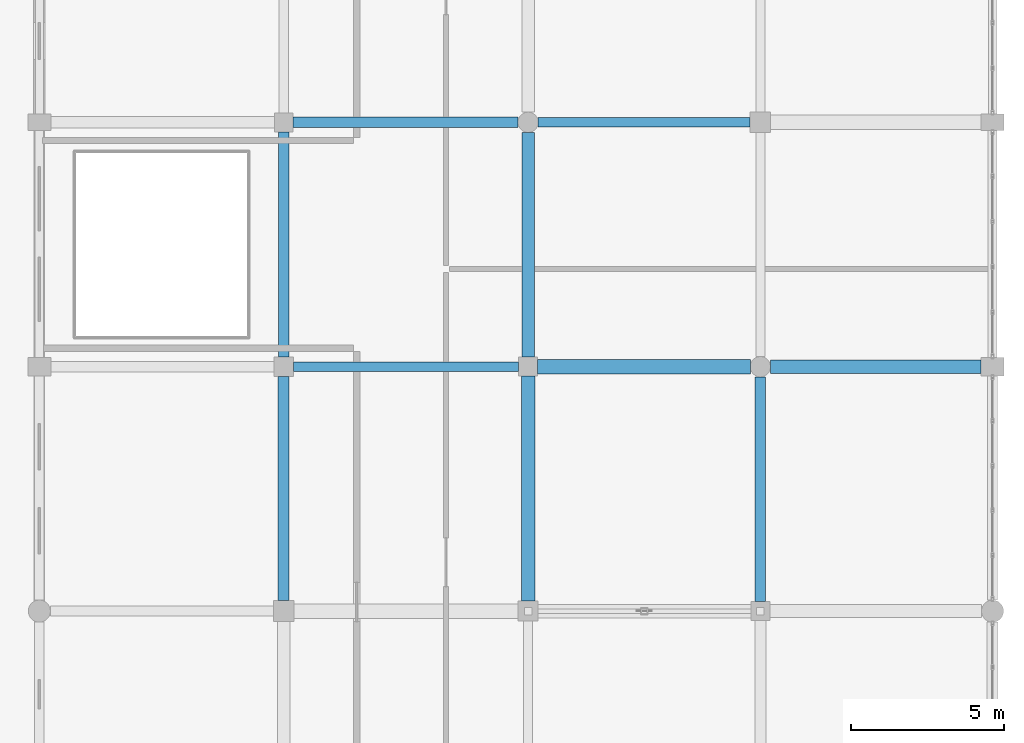
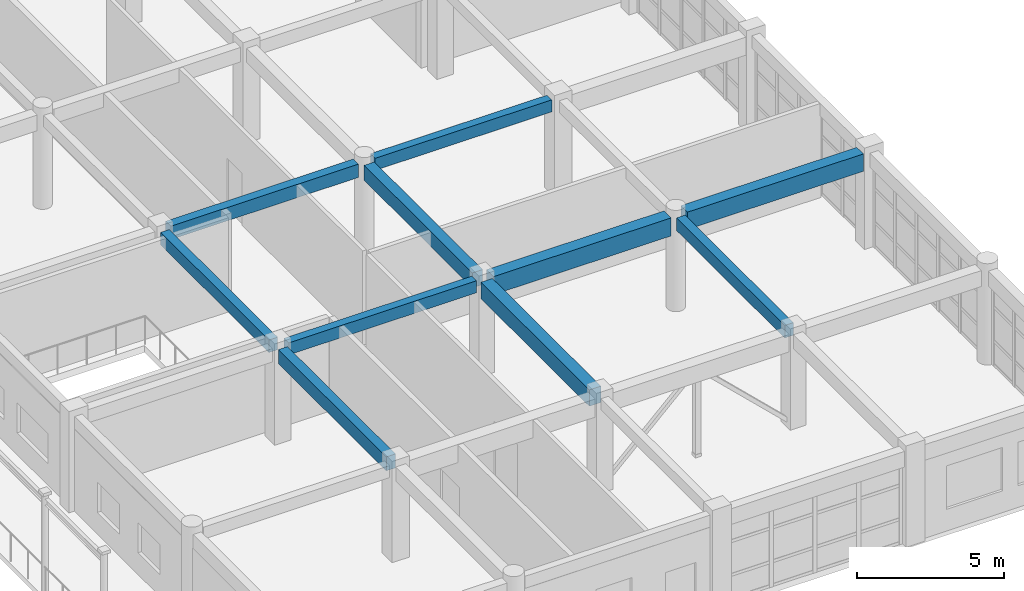
# One storey, part 128 of 195: 10 beams.
"""IFC4 building model written with IfcOpenShell, lengths in metres."""

from ifc_helpers import new_model, si_unit, direction, frame, origin, origin_2d, place, context, subcontext, project, spatial, rectangle, extrude, material, material_profile, profile_set, type_object, element, save


model = new_model("IFC4")

# Units and contexts
model_context = context("Model", 3, precision=1e-05, world=origin(), true_north=direction((0.0, 1.0)))
body_context = subcontext(model_context, "Body", "Model", "MODEL_VIEW")
ifc_project = project(units=[si_unit("LENGTHUNIT", "METRE"), si_unit("AREAUNIT", "SQUARE_METRE"), si_unit("VOLUMEUNIT", "CUBIC_METRE"), si_unit("PLANEANGLEUNIT", "RADIAN"), si_unit("MASSUNIT", "GRAM", prefix="KILO")], contexts=[model_context])

# Site, building, storey
site_placement = place(None, origin())
site = spatial("IfcSite", under=ifc_project, at=site_placement, CompositionType="ELEMENT")
building_placement = place(site_placement, origin())
building = spatial("IfcBuilding", under=site, at=building_placement, Name="Kharva Crest Polytechnic", CompositionType="ELEMENT")
storey_placement = place(building_placement, frame((0.0, 0.0, 9.0)))
storey = spatial("IfcBuildingStorey", under=building, at=storey_placement, Name="L02", CompositionType="ELEMENT", Elevation=9.0)

# Beams
ifc_material = material(Name="Concrete C35/45", Category="concrete")
ifc_material_profile_1 = material_profile(ifc_material, rectangle(XDim=0.320068359375, YDim=0.5, at=origin_2d()), Name="RECT 320 X 500")
ifc_profile_set_1 = profile_set([ifc_material_profile_1], Name="Concrete C35/45")
beam_type_1 = type_object("IfcBeamType", Name="BM-RC-320X500", PredefinedType="BEAM", material=ifc_profile_set_1)
beam_1_placement = place(storey_placement, frame((161.125, 54.800048828125, 3.669921875), z_axis=(1.0, 0.0, 0.0), x_axis=(0.0, 1.0, 0.0)))
element("IfcBeam", 1, at=beam_1_placement, inside=storey, type_object=beam_type_1, Name="L02 Beam H/21-22", PredefinedType="BEAM", context=body_context, shape_type="SweptSolid", body=[
    extrude(rectangle(XDim=0.320068359375, YDim=0.5, at=origin_2d()), origin(), (0.0, 0.0, 1.0), 7.364990234375),
])
beam_2_placement = place(storey_placement, frame((169.1298828125, 62.800048828125, 3.669921875), z_axis=(1.0, 0.0, 0.0), x_axis=(0.0, 1.0, 0.0)))
element("IfcBeam", 2, at=beam_2_placement, inside=storey, type_object=beam_type_1, Name="L02 Beam J/22-23", PredefinedType="BEAM", context=body_context, shape_type="SweptSolid", body=[
    extrude(rectangle(XDim=0.320068359375, YDim=0.5, at=origin_2d()), origin(), (0.0, 0.0, 1.0), 6.93017578125),
])
ifc_material_profile_2 = material_profile(ifc_material, rectangle(XDim=0.340087890625, YDim=0.52001953125, at=origin_2d()), Name="RECT 340 X 520")
ifc_profile_set_2 = profile_set([ifc_material_profile_2], Name="Concrete C35/45")
beam_type_2 = type_object("IfcBeamType", Name="BM-RC-340X520", PredefinedType="BEAM", material=ifc_profile_set_2)
beam_3_placement = place(storey_placement, frame((160.800048828125, 55.125, 3.659912109375), z_axis=(0.0, 1.0, 0.0), x_axis=(-1.0, 0.0, 0.0)))
element("IfcBeam", 3, at=beam_3_placement, inside=storey, type_object=beam_type_2, Name="L02 Girder 21/H-J", PredefinedType="BEAM", context=body_context, shape_type="SweptSolid", body=[
    extrude(rectangle(XDim=0.340087890625, YDim=0.52001953125, at=origin_2d()), origin(), (0.0, 0.0, 1.0), 7.364990234375),
])
beam_4_placement = place(storey_placement, frame((176.39990234375, 47.110107421875, 3.659912109375), z_axis=(0.0, 1.0, 0.0), x_axis=(-1.0, 0.0, 0.0)))
element("IfcBeam", 4, at=beam_4_placement, inside=storey, type_object=beam_type_2, Name="L02 Girder 23/G-H", PredefinedType="BEAM", context=body_context, shape_type="SweptSolid", body=[
    extrude(rectangle(XDim=0.340087890625, YDim=0.52001953125, at=origin_2d()), origin(), (0.0, 0.0, 1.0), 7.35986328125),
])
ifc_material_profile_3 = material_profile(ifc_material, rectangle(XDim=0.35009765625, YDim=0.550048828125, at=origin_2d()), Name="RECT 350 X 550")
ifc_profile_set_3 = profile_set([ifc_material_profile_3], Name="Concrete C35/45")
beam_type_3 = type_object("IfcBeamType", Name="BM-RC-350X550", PredefinedType="BEAM", material=ifc_profile_set_3)
beam_5_placement = place(storey_placement, frame((161.110107421875, 62.800048828125, 3.64501953125), z_axis=(1.0, 0.0, 0.0), x_axis=(0.0, 1.0, 0.0)))
element("IfcBeam", 5, at=beam_5_placement, inside=storey, type_object=beam_type_3, Name="L02 Beam J/21-22", PredefinedType="BEAM", context=body_context, shape_type="SweptSolid", body=[
    extrude(rectangle(XDim=0.35009765625, YDim=0.550048828125, at=origin_2d()), origin(), (0.0, 0.0, 1.0), 7.35986328125),
])
ifc_material_profile_4 = material_profile(ifc_material, rectangle(XDim=0.360107421875, YDim=0.580078125, at=origin_2d()), Name="RECT 360 X 580")
ifc_profile_set_4 = profile_set([ifc_material_profile_4], Name="Concrete C35/45")
beam_type_4 = type_object("IfcBeamType", Name="BM-RC-360X580", PredefinedType="BEAM", material=ifc_profile_set_4)
beam_6_placement = place(storey_placement, frame((160.800048828125, 47.139892578125, 3.6298828125), z_axis=(0.0, 1.0, 0.0), x_axis=(-1.0, 0.0, 0.0)))
element("IfcBeam", 6, at=beam_6_placement, inside=storey, type_object=beam_type_4, Name="L02 Girder 21/G-H", PredefinedType="BEAM", context=body_context, shape_type="SweptSolid", body=[
    extrude(rectangle(XDim=0.360107421875, YDim=0.580078125, at=origin_2d()), origin(), (0.0, 0.0, 1.0), 7.335205078125),
])
ifc_material_profile_5 = material_profile(ifc_material, rectangle(XDim=0.39990234375, YDim=0.6201171875, at=origin_2d()), Name="RECT 400 X 620")
ifc_profile_set_5 = profile_set([ifc_material_profile_5], Name="Concrete C35/45")
beam_type_5 = type_object("IfcBeamType", Name="BM-RC-400X620", PredefinedType="BEAM", material=ifc_profile_set_5)
beam_7_placement = place(storey_placement, frame((168.800048828125, 55.110107421875, 3.610107421875), z_axis=(0.0, 1.0, 0.0), x_axis=(-1.0, 0.0, 0.0)))
element("IfcBeam", 7, at=beam_7_placement, inside=storey, type_object=beam_type_5, Name="L02 Girder 22/H-J", PredefinedType="BEAM", context=body_context, shape_type="SweptSolid", body=[
    extrude(rectangle(XDim=0.39990234375, YDim=0.6201171875, at=origin_2d()), origin(), (0.0, 0.0, 1.0), 7.35986328125),
])
ifc_material_profile_6 = material_profile(ifc_material, rectangle(XDim=0.449951171875, YDim=0.679931640625, at=origin_2d()), Name="RECT 450 X 680")
ifc_profile_set_6 = profile_set([ifc_material_profile_6], Name="Concrete C35/45")
beam_type_6 = type_object("IfcBeamType", Name="BM-RC-450X680", PredefinedType="BEAM", material=ifc_profile_set_6)
beam_8_placement = place(storey_placement, frame((168.800048828125, 47.125, 3.580078125), z_axis=(0.0, 1.0, 0.0), x_axis=(-1.0, 0.0, 0.0)))
element("IfcBeam", 8, at=beam_8_placement, inside=storey, type_object=beam_type_6, Name="L02 Girder 22/G-H", PredefinedType="BEAM", context=body_context, shape_type="SweptSolid", body=[
    extrude(rectangle(XDim=0.449951171875, YDim=0.679931640625, at=origin_2d()), origin(), (0.0, 0.0, 1.0), 7.364990234375),
])
ifc_material_profile_7 = material_profile(ifc_material, rectangle(XDim=0.449951171875, YDim=0.719970703125, at=origin_2d()), Name="RECT 450 X 720")
ifc_profile_set_7 = profile_set([ifc_material_profile_7], Name="Concrete C35/45")
beam_type_7 = type_object("IfcBeamType", Name="BM-RC-450X720", PredefinedType="BEAM", material=ifc_profile_set_7)
beam_9_placement = place(storey_placement, frame((176.72998046875, 54.800048828125, 3.56005859375), z_axis=(1.0, 0.0, 0.0), x_axis=(0.0, 1.0, 0.0)))
element("IfcBeam", 9, at=beam_9_placement, inside=storey, type_object=beam_type_7, Name="L02 Beam H/23-24", PredefinedType="BEAM", context=body_context, shape_type="SweptSolid", body=[
    extrude(rectangle(XDim=0.449951171875, YDim=0.719970703125, at=origin_2d()), origin(), (0.0, 0.0, 1.0), 6.89501953125),
])
ifc_material_profile_8 = material_profile(ifc_material, rectangle(XDim=0.47998046875, YDim=0.75, at=origin_2d()), Name="RECT 480 X 750")
ifc_profile_set_8 = profile_set([ifc_material_profile_8], Name="Concrete C35/45")
beam_type_8 = type_object("IfcBeamType", Name="BM-RC-480X750", PredefinedType="BEAM", material=ifc_profile_set_8)
beam_10_placement = place(storey_placement, frame((169.110107421875, 54.800048828125, 3.544921875), z_axis=(1.0, 0.0, 0.0), x_axis=(0.0, 1.0, 0.0)))
element("IfcBeam", 10, at=beam_10_placement, inside=storey, type_object=beam_type_8, Name="L02 Beam H/22-23", PredefinedType="BEAM", context=body_context, shape_type="SweptSolid", body=[
    extrude(rectangle(XDim=0.47998046875, YDim=0.75, at=origin_2d()), origin(), (0.0, 0.0, 1.0), 6.9599609375),
])

save(model, "model.ifc")
